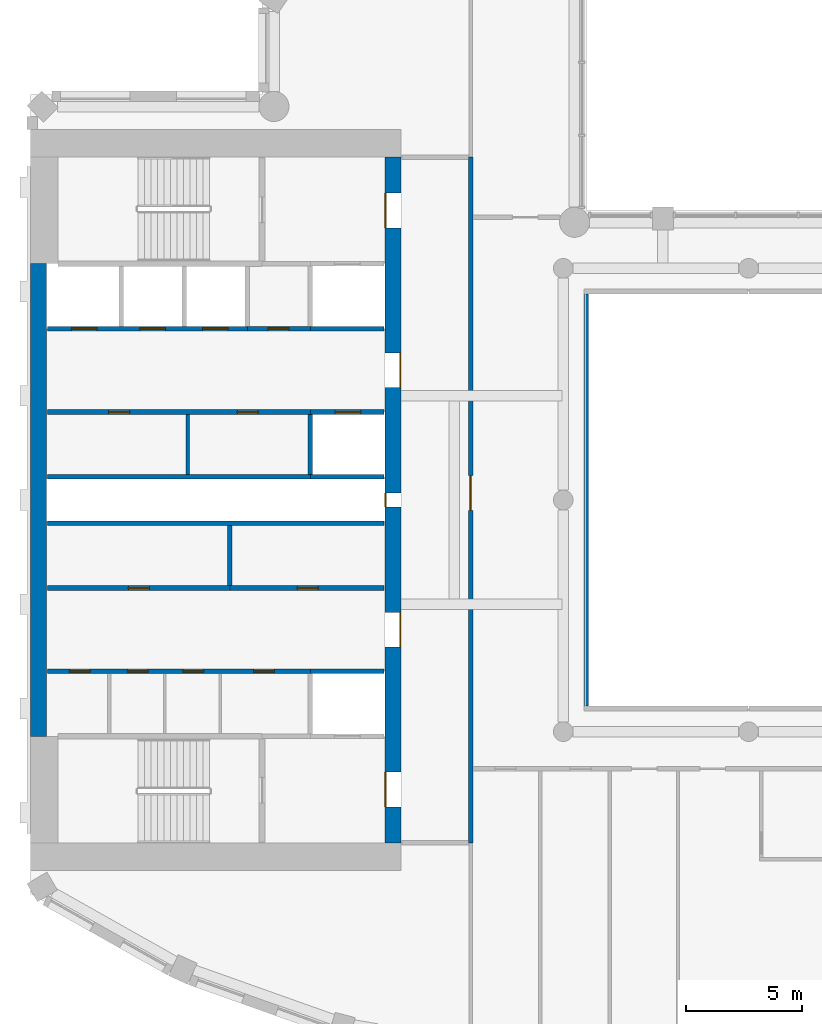
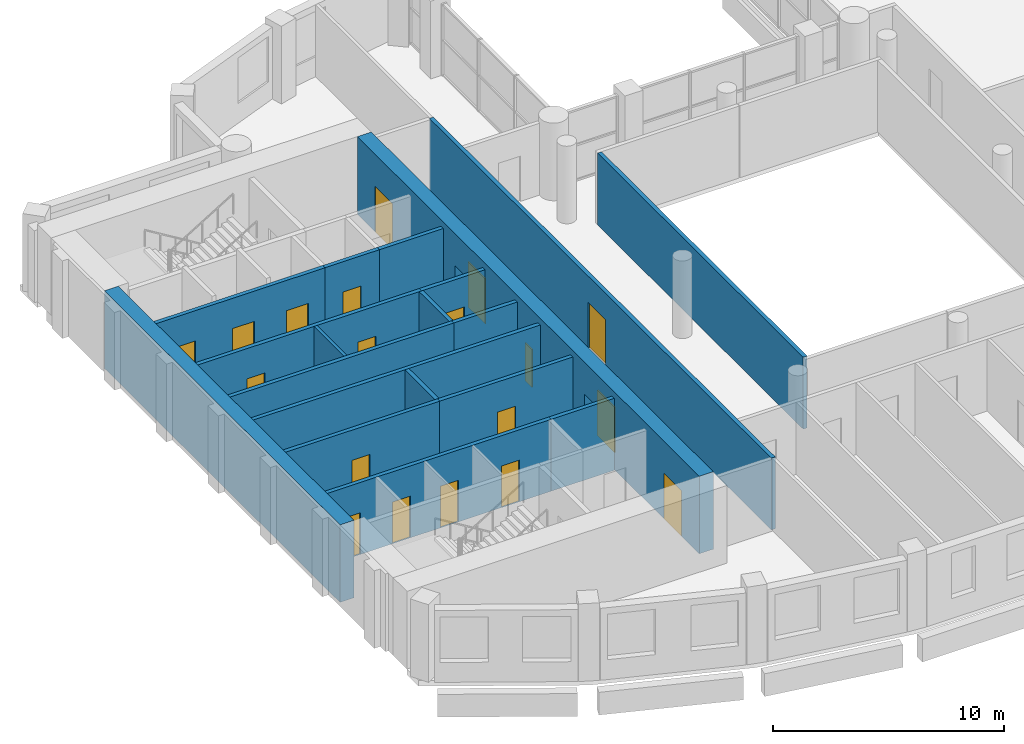
# One storey, part 5 of 14: 19 doors, 19 walls, 19 openings.
"""IFC4 building model written with IfcOpenShell, lengths in metres."""

import ifcopenshell
import ifcopenshell.guid

model = None  # the IFC model being written
_history = None  # IfcOwnerHistory: only IFC2X3 demands one
_inside = {}  # id of a spatial element -> (the spatial element, [elements in it])
_under = {}  # id of a project, library or spatial element -> (it, [spatial elements below it])
_declared = {}  # id of a project -> (the project, [libraries it declares])
_typed = {}  # id of a type object -> (the type object, [elements of that type])
_made_of = {}  # id of a material, layer set ... -> (it, [elements and type objects made of it])


def new_model(schema):
    """Start an empty IFC model of exactly this schema.

    Asked for "IFC4X3", IfcOpenShell would pick the latest addendum, in which some entities
    have other attributes; the version numbers below select the first issue.
    IFC2X3 requires an IfcOwnerHistory on every rooted entity: one is made here for all.
    """
    global model, _history
    if schema == "IFC4X3":
        model = ifcopenshell.file(schema_version=(4, 3, 0, 0))
    else:
        model = ifcopenshell.file(schema=schema)
    _inside.clear()
    _under.clear()
    _declared.clear()
    _typed.clear()
    _made_of.clear()
    _history = None
    if model.schema == "IFC2X3":
        org = make("IfcOrganization", Name="unknown")
        user = make(
            "IfcPersonAndOrganization",
            ThePerson=make("IfcPerson", FamilyName="unknown"),
            TheOrganization=org,
        )
        app = make(
            "IfcApplication",
            ApplicationDeveloper=org,
            Version="unknown",
            ApplicationFullName="unknown",
            ApplicationIdentifier="unknown",
        )
        _history = make(
            "IfcOwnerHistory",
            OwningUser=user,
            OwningApplication=app,
            ChangeAction="ADDED",
            CreationDate=0,
        )
    return model


def make(cls, **values):
    """One entity of the class cls with the attributes given. An attribute that is None is left unset."""
    return model.create_entity(
        cls, **{name: value for name, value in values.items() if value is not None}
    )


def rooted(cls, **values):
    """An entity with a GlobalId (a new one), such as an element, a storey or a relation."""
    return make(cls, GlobalId=ifcopenshell.guid.new(), OwnerHistory=_history, **values)


def si_unit(unit_type, name, prefix=None):
    """IfcSIUnit, for example si_unit("LENGTHUNIT", "METRE", prefix="MILLI")."""
    return make("IfcSIUnit", UnitType=unit_type, Prefix=prefix, Name=name)


def assignment(units):
    """IfcUnitAssignment: the units of a project."""
    return None if units is None else make("IfcUnitAssignment", Units=units)


def point(xyz):
    """IfcCartesianPoint."""
    return None if xyz is None else make("IfcCartesianPoint", Coordinates=xyz)


def direction(xyz):
    """IfcDirection."""
    return None if xyz is None else make("IfcDirection", DirectionRatios=xyz)


def frame(location, z_axis=None, x_axis=None):
    """IfcAxis2Placement3D, a coordinate frame: its origin and axes. An axis left out is left unset."""
    return make(
        "IfcAxis2Placement3D",
        Location=point(location),
        Axis=direction(z_axis),
        RefDirection=direction(x_axis),
    )


def frame_2d(location, x_axis=None):
    """IfcAxis2Placement2D, a coordinate frame in the plane: its origin and x axis."""
    return make(
        "IfcAxis2Placement2D", Location=point(location), RefDirection=direction(x_axis)
    )


def origin():
    """The frame at (0, 0, 0) with its axes left unset."""
    return frame((0.0, 0.0, 0.0))


def place(relative_to, where):
    """IfcLocalPlacement: puts the frame where relative to a parent placement (None: the world)."""
    return make(
        "IfcLocalPlacement", PlacementRelTo=relative_to, RelativePlacement=where
    )


def context(
    kind, dimensions, precision=None, world=None, true_north=None, identifier=None
):
    """IfcGeometricRepresentationContext, for example the 3D "Model" context."""
    return make(
        "IfcGeometricRepresentationContext",
        ContextIdentifier=identifier,
        ContextType=kind,
        CoordinateSpaceDimension=dimensions,
        Precision=precision,
        WorldCoordinateSystem=world,
        TrueNorth=true_north,
    )


def subcontext(parent, identifier, kind, view, scale=None):
    """IfcGeometricRepresentationSubContext, for example "Body" below "Model"."""
    return make(
        "IfcGeometricRepresentationSubContext",
        ContextIdentifier=identifier,
        ContextType=kind,
        ParentContext=parent,
        TargetScale=scale,
        TargetView=view,
    )


def project(units=None, contexts=None):
    """IfcProject with its units and contexts."""
    return rooted(
        "IfcProject",
        Name="project",
        RepresentationContexts=contexts,
        UnitsInContext=assignment(units),
    )


def spatial(cls, under=None, at=None, **own):
    """A site, building, storey or space (cls), placed at a placement, below another one or the project."""
    s = rooted(cls, ObjectPlacement=at, **own)
    if under is not None:
        _under.setdefault(under.id(), (under, []))[1].append(s)
    return s


def profile(cls, at=None, kind="AREA", **sizes):
    """A parametric profile (cls). Its sizes go by their IFC names, for example OverallWidth=200.0."""
    return make(cls, ProfileType=kind, Position=at, **sizes)


def rectangle(**sizes):
    """IfcRectangleProfileDef."""
    return profile("IfcRectangleProfileDef", **sizes)


def extrude(swept, where, along, depth):
    """IfcExtrudedAreaSolid: the profile swept, set in the frame where, extruded along a direction by depth."""
    return make(
        "IfcExtrudedAreaSolid",
        SweptArea=swept,
        Position=where,
        ExtrudedDirection=direction(along),
        Depth=depth,
    )


def shape(context_of_items, identifier, shape_type, items):
    """IfcShapeRepresentation: the items that make up one representation, for example the "Body"."""
    return make(
        "IfcShapeRepresentation",
        ContextOfItems=context_of_items,
        RepresentationIdentifier=identifier,
        RepresentationType=shape_type,
        Items=items,
    )


def material(Name=None, Category=None):
    """IfcMaterial."""
    return make("IfcMaterial", Name=Name, Category=Category)


def layer(
    of_material, thickness, ventilated=None, Name=None, Category=None, Priority=None
):
    """IfcMaterialLayer: one layer of a wall or slab, of a material (None: an air gap)."""
    return make(
        "IfcMaterialLayer",
        Material=of_material,
        LayerThickness=thickness,
        IsVentilated=ventilated,
        Name=Name,
        Category=Category,
        Priority=Priority,
    )


def layer_set(layers, Name=None):
    """IfcMaterialLayerSet."""
    return make("IfcMaterialLayerSet", MaterialLayers=layers, LayerSetName=Name)


def made_of(thing, what):
    """Note that an element or type object is made of a material, layer set ...; save() writes the relation."""
    if what is not None:
        _made_of.setdefault(what.id(), (what, []))[1].append(thing)
    return thing


def type_object(cls, material=None, **own):
    """A type object (cls), such as IfcWallType, which elements share."""
    return made_of(rooted(cls, **own), material)


def element(
    cls,
    number,
    at=None,
    inside=None,
    cuts=None,
    type_object=None,
    material=None,
    context=None,
    identifier="Body",
    shape_type=None,
    held_by="IfcProductDefinitionShape",
    body=None,
    shapes=None,
    **own,
):
    """One element of the class cls, such as IfcWall. Its Tag is "e" and its number.

    at: its placement. inside: the storey or other place that contains it. cuts: it is an
    opening in that element (IfcRelVoidsElement). A single representation is given by context,
    identifier, shape_type and body (its items); several are given by shapes. held_by: the class
    of the entity that holds the representations. save() writes the other relations.
    """
    e = rooted(cls, Tag="e%d" % number, ObjectPlacement=at, **own)
    if body is not None:
        shapes = [shape(context, identifier, shape_type, body)]
    if shapes is not None:
        e.Representation = make(held_by, Representations=shapes)
    if inside is not None:
        _inside.setdefault(inside.id(), (inside, []))[1].append(e)
    if cuts is not None:
        rooted(
            "IfcRelVoidsElement", RelatingBuildingElement=cuts, RelatedOpeningElement=e
        )
    if type_object is not None:
        _typed.setdefault(type_object.id(), (type_object, []))[1].append(e)
    return made_of(e, material)


def fill(opening, filler):
    """IfcRelFillsElement: the door or window that sits in an opening."""
    return rooted(
        "IfcRelFillsElement",
        RelatingOpeningElement=opening,
        RelatedBuildingElement=filler,
    )


def aggregate(whole, parts):
    """IfcRelAggregates: a whole, such as a stair, and the parts it consists of."""
    return rooted("IfcRelAggregates", RelatingObject=whole, RelatedObjects=parts)


def save(model, path):
    """Write the relations noted so far, then the file.

    IfcRelAggregates (storeys below a building ...), IfcRelContainedInSpatialStructure (elements
    in a storey), IfcRelDefinesByType, IfcRelAssociatesMaterial and IfcRelDeclares: one each for
    every whole, place, type object, material and project.
    """
    for whole, parts in _under.values():
        aggregate(whole, parts)
    for where, things in _inside.values():
        rooted(
            "IfcRelContainedInSpatialStructure",
            RelatedElements=things,
            RelatingStructure=where,
        )
    for kind, things in _typed.values():
        rooted("IfcRelDefinesByType", RelatedObjects=things, RelatingType=kind)
    for what, things in _made_of.values():
        rooted("IfcRelAssociatesMaterial", RelatedObjects=things, RelatingMaterial=what)
    for by, libraries in _declared.values():
        rooted("IfcRelDeclares", RelatingContext=by, RelatedDefinitions=libraries)
    model.write(path)


model = new_model("IFC4")

# Units and contexts
model_context = context("Model", 3, precision=1e-05, world=origin(), true_north=direction((0.0, 1.0)))
body_context = subcontext(model_context, "Body", "Model", "MODEL_VIEW")
ifc_project = project(units=[si_unit("LENGTHUNIT", "METRE"), si_unit("AREAUNIT", "SQUARE_METRE"), si_unit("VOLUMEUNIT", "CUBIC_METRE"), si_unit("PLANEANGLEUNIT", "RADIAN"), si_unit("MASSUNIT", "GRAM", prefix="KILO")], contexts=[model_context])

# Site, building, storey
site_placement = place(None, origin())
site = spatial("IfcSite", under=ifc_project, at=site_placement, CompositionType="ELEMENT")
building_placement = place(site_placement, origin())
building = spatial("IfcBuilding", under=site, at=building_placement, Name="Cypress Arch Tower", CompositionType="ELEMENT")
storey_placement = place(building_placement, frame((0.0, 0.0, 251.60009765625)))
storey = spatial("IfcBuildingStorey", under=building, at=storey_placement, Name="L56", CompositionType="ELEMENT", Elevation=251.60009765625)

# Wall, openings, doors
ifc_material_1 = material(Name="Concrete C60/75", Category="concrete")
ifc_layer_1 = layer(ifc_material_1, 0.699951171875)
ifc_layer_set_1 = layer_set([ifc_layer_1], Name="Core wall CW700 C60/75")
wall_type_1 = type_object("IfcWallType", Name="Core wall CW700 C60/75", PredefinedType="SHEAR", material=ifc_layer_set_1)
wall_1_placement = place(storey_placement, frame((-14.35009765625, -14.800048828125, 0.0), z_axis=(0.0, 0.0, 1.0), x_axis=(0.0, 1.0, 0.0)))
wall_1 = element("IfcWall", 1, at=wall_1_placement, inside=storey, type_object=wall_type_1, Name="Core wall", PredefinedType="SHEAR", context=body_context, shape_type="SweptSolid", body=[
    extrude(rectangle(XDim=29.60009765625, YDim=0.699951171875, at=frame_2d((14.800048828125, 0.0))), origin(), (0.0, 0.0, 1.0), 4.099853515625),
])
opening_1_placement = place(wall_1_placement, frame((1.550048828125, 0.0, 0.0)))
opening_1 = element("IfcOpeningElement", 2, at=opening_1_placement, cuts=wall_1, Name="Opening D07", PredefinedType="OPENING", context=body_context, shape_type="SweptSolid", body=[
    extrude(rectangle(XDim=1.5, YDim=2.39990234375, at=frame_2d((0.75, 1.199951171875))), frame((0.0, 0.35986328125, 0.0), z_axis=(0.0, -1.0, 0.0), x_axis=(1.0, 0.0, 0.0)), (0.0, 0.0, 1.0), 0.719970703125),
])
opening_2_placement = place(wall_1_placement, frame((26.550048828125, 0.0, 0.0)))
opening_2 = element("IfcOpeningElement", 3, at=opening_2_placement, cuts=wall_1, Name="Opening D07", PredefinedType="OPENING", context=body_context, shape_type="SweptSolid", body=[
    extrude(rectangle(XDim=1.5, YDim=2.39990234375, at=frame_2d((0.75, 1.199951171875))), frame((0.0, 0.35986328125, 0.0), z_axis=(0.0, -1.0, 0.0), x_axis=(1.0, 0.0, 0.0)), (0.0, 0.0, 1.0), 0.719970703125),
])
opening_3_placement = place(wall_1_placement, frame((8.449951171875, 0.0, 0.0)))
opening_3 = element("IfcOpeningElement", 4, at=opening_3_placement, cuts=wall_1, Name="Opening D07", PredefinedType="OPENING", context=body_context, shape_type="SweptSolid", body=[
    extrude(rectangle(XDim=1.5, YDim=2.39990234375, at=frame_2d((0.75, 1.199951171875))), frame((0.0, 0.35986328125, 0.0), z_axis=(0.0, -1.0, 0.0), x_axis=(1.0, 0.0, 0.0)), (0.0, 0.0, 1.0), 0.719970703125),
])
opening_4_placement = place(wall_1_placement, frame((19.64990234375, 0.0, 0.0)))
opening_4 = element("IfcOpeningElement", 5, at=opening_4_placement, cuts=wall_1, Name="Opening D07", PredefinedType="OPENING", context=body_context, shape_type="SweptSolid", body=[
    extrude(rectangle(XDim=1.5, YDim=2.39990234375, at=frame_2d((0.75, 1.199951171875))), frame((0.0, 0.35986328125, 0.0), z_axis=(0.0, -1.0, 0.0), x_axis=(1.0, 0.0, 0.0)), (0.0, 0.0, 1.0), 0.719970703125),
])
opening_5_placement = place(wall_1_placement, frame((14.5, 0.0, 0.0)))
opening_5 = element("IfcOpeningElement", 6, at=opening_5_placement, cuts=wall_1, Name="Opening D08", PredefinedType="OPENING", context=body_context, shape_type="SweptSolid", body=[
    extrude(rectangle(XDim=0.60009765625, YDim=2.0, at=frame_2d((0.300048828125, 1.0))), frame((0.0, 0.35986328125, 0.0), z_axis=(0.0, -1.0, 0.0), x_axis=(1.0, 0.0, 0.0)), (0.0, 0.0, 1.0), 0.719970703125),
])
ifc_material_2 = material(Name="Steel framed glazed door, fire resisting", Category="steel")
door_type_1 = type_object("IfcDoorType", Name="Lobby door D07 1500x2400", OperationType="DOUBLE_DOOR_SINGLE_SWING", PredefinedType="DOOR", material=ifc_material_2)
door_1_placement = place(opening_1_placement, origin())
door_1 = element("IfcDoor", 7, at=door_1_placement, inside=storey, type_object=door_type_1, Name="Lobby door", OperationType="DOUBLE_DOOR_SINGLE_SWING", OverallHeight=2.39990234375, OverallWidth=1.5, PredefinedType="DOOR", context=body_context, shape_type="SweptSolid", body=[
    extrude(rectangle(XDim=1.5, YDim=2.39990234375, at=frame_2d((0.75, 1.199951171875))), frame((0.0, 0.34521484375, 0.0), z_axis=(0.0, -1.0, 0.0), x_axis=(1.0, 0.0, 0.0)), (0.0, 0.0, 1.0), 0.050048828125),
])
fill(opening_1, door_1)
door_2_placement = place(opening_2_placement, origin())
door_2 = element("IfcDoor", 8, at=door_2_placement, inside=storey, type_object=door_type_1, Name="Lobby door", OperationType="DOUBLE_DOOR_SINGLE_SWING", OverallHeight=2.39990234375, OverallWidth=1.5, PredefinedType="DOOR", context=body_context, shape_type="SweptSolid", body=[
    extrude(rectangle(XDim=1.5, YDim=2.39990234375, at=frame_2d((0.75, 1.199951171875))), frame((0.0, 0.34521484375, 0.0), z_axis=(0.0, -1.0, 0.0), x_axis=(1.0, 0.0, 0.0)), (0.0, 0.0, 1.0), 0.050048828125),
])
fill(opening_2, door_2)
door_3_placement = place(opening_3_placement, origin())
door_3 = element("IfcDoor", 9, at=door_3_placement, inside=storey, type_object=door_type_1, Name="Lobby door", OperationType="DOUBLE_DOOR_SINGLE_SWING", OverallHeight=2.39990234375, OverallWidth=1.5, PredefinedType="DOOR", context=body_context, shape_type="SweptSolid", body=[
    extrude(rectangle(XDim=1.5, YDim=2.39990234375, at=frame_2d((0.75, 1.199951171875))), frame((0.0, -0.294921875, 0.0), z_axis=(0.0, -1.0, 0.0), x_axis=(1.0, 0.0, 0.0)), (0.0, 0.0, 1.0), 0.050048828125),
])
fill(opening_3, door_3)
door_4_placement = place(opening_4_placement, origin())
door_4 = element("IfcDoor", 10, at=door_4_placement, inside=storey, type_object=door_type_1, Name="Lobby door", OperationType="DOUBLE_DOOR_SINGLE_SWING", OverallHeight=2.39990234375, OverallWidth=1.5, PredefinedType="DOOR", context=body_context, shape_type="SweptSolid", body=[
    extrude(rectangle(XDim=1.5, YDim=2.39990234375, at=frame_2d((0.75, 1.199951171875))), frame((0.0, -0.294921875, 0.0), z_axis=(0.0, -1.0, 0.0), x_axis=(1.0, 0.0, 0.0)), (0.0, 0.0, 1.0), 0.050048828125),
])
fill(opening_4, door_4)
ifc_material_3 = material(Name="Steel access door, fire resisting", Category="steel")
door_type_2 = type_object("IfcDoorType", Name="Riser access door D08 600x2000", OperationType="SINGLE_SWING_LEFT", PredefinedType="DOOR", material=ifc_material_3)
door_5_placement = place(opening_5_placement, origin())
door_5 = element("IfcDoor", 11, at=door_5_placement, inside=storey, type_object=door_type_2, Name="Riser access door", OperationType="SINGLE_SWING_RIGHT", OverallHeight=2.0, OverallWidth=0.60009765625, PredefinedType="DOOR", context=body_context, shape_type="SweptSolid", body=[
    extrude(rectangle(XDim=0.60009765625, YDim=2.0, at=frame_2d((0.300048828125, 1.0))), frame((0.0, 0.34521484375, 0.0), z_axis=(0.0, -1.0, 0.0), x_axis=(1.0, 0.0, 0.0)), (0.0, 0.0, 1.0), 0.050048828125),
])
fill(opening_5, door_5)

# Wall
wall_2_placement = place(storey_placement, frame((-29.64990234375, -10.199951171875, 0.0), z_axis=(0.0, 0.0, 1.0), x_axis=(0.0, 1.0, 0.0)))
element("IfcWall", 12, at=wall_2_placement, inside=storey, type_object=wall_type_1, Name="Core wall", PredefinedType="SHEAR", context=body_context, shape_type="SweptSolid", body=[
    extrude(rectangle(XDim=20.39990234375, YDim=0.699951171875, at=frame_2d((10.199951171875, 0.0))), origin(), (0.0, 0.0, 1.0), 4.099853515625),
])

# Wall, openings, doors
ifc_material_4 = material(Name="Concrete blockwork, plastered, rated", Category="masonry")
ifc_layer_2 = layer(ifc_material_4, 0.199951171875)
ifc_layer_set_2 = layer_set([ifc_layer_2], Name="Corridor wall FW200")
wall_type_2 = type_object("IfcWallType", Name="Corridor wall FW200", PredefinedType="PARTITIONING", material=ifc_layer_set_2)
wall_3_placement = place(storey_placement, frame((-29.27001953125, -7.39990234375, 0.0), z_axis=(0.0, 0.0, 1.0), x_axis=(1.0, 0.0, 0.0)))
wall_3 = element("IfcWall", 13, at=wall_3_placement, inside=storey, type_object=wall_type_2, Name="Corridor wall", PredefinedType="PARTITIONING", context=body_context, shape_type="SweptSolid", body=[
    extrude(rectangle(XDim=11.3701171875, YDim=0.199951171875, at=frame_2d((5.68505859375, 0.0))), origin(), (0.0, 0.0, 1.0), 3.7998046875),
])
opening_6_placement = place(wall_3_placement, frame((0.949951171875, 0.0, 0.0)))
opening_6 = element("IfcOpeningElement", 14, at=opening_6_placement, cuts=wall_3, Name="Opening D05", PredefinedType="OPENING", context=body_context, shape_type="SweptSolid", body=[
    extrude(rectangle(XDim=0.89990234375, YDim=2.199951171875, at=frame_2d((0.449951171875, 1.10009765625))), frame((0.0, 0.10986328125, 0.0), z_axis=(0.0, -1.0, 0.0), x_axis=(1.0, 0.0, 0.0)), (0.0, 0.0, 1.0), 0.219970703125),
])
opening_7_placement = place(wall_3_placement, frame((3.449951171875, 0.0, 0.0)))
opening_7 = element("IfcOpeningElement", 15, at=opening_7_placement, cuts=wall_3, Name="Opening D05", PredefinedType="OPENING", context=body_context, shape_type="SweptSolid", body=[
    extrude(rectangle(XDim=0.89990234375, YDim=2.199951171875, at=frame_2d((0.449951171875, 1.10009765625))), frame((0.0, 0.10986328125, 0.0), z_axis=(0.0, -1.0, 0.0), x_axis=(1.0, 0.0, 0.0)), (0.0, 0.0, 1.0), 0.219970703125),
])
opening_8_placement = place(wall_3_placement, frame((5.85009765625, 0.0, 0.0)))
opening_8 = element("IfcOpeningElement", 16, at=opening_8_placement, cuts=wall_3, Name="Opening D05", PredefinedType="OPENING", context=body_context, shape_type="SweptSolid", body=[
    extrude(rectangle(XDim=0.89990234375, YDim=2.199951171875, at=frame_2d((0.449951171875, 1.10009765625))), frame((0.0, 0.10986328125, 0.0), z_axis=(0.0, -1.0, 0.0), x_axis=(1.0, 0.0, 0.0)), (0.0, 0.0, 1.0), 0.219970703125),
])
opening_9_placement = place(wall_3_placement, frame((8.89990234375, 0.0, 0.0)))
opening_9 = element("IfcOpeningElement", 17, at=opening_9_placement, cuts=wall_3, Name="Opening D05", PredefinedType="OPENING", context=body_context, shape_type="SweptSolid", body=[
    extrude(rectangle(XDim=0.89990234375, YDim=2.199951171875, at=frame_2d((0.449951171875, 1.10009765625))), frame((0.0, 0.10986328125, 0.0), z_axis=(0.0, -1.0, 0.0), x_axis=(1.0, 0.0, 0.0)), (0.0, 0.0, 1.0), 0.219970703125),
])
ifc_material_5 = material(Name="Timber flush door", Category="wood")
door_type_3 = type_object("IfcDoorType", Name="Service door D05 900x2200", OperationType="SINGLE_SWING_LEFT", PredefinedType="DOOR", material=ifc_material_5)
door_6_placement = place(opening_6_placement, origin())
door_6 = element("IfcDoor", 18, at=door_6_placement, inside=storey, type_object=door_type_3, Name="Service door", OperationType="SINGLE_SWING_LEFT", OverallHeight=2.199951171875, OverallWidth=0.89990234375, PredefinedType="DOOR", context=body_context, shape_type="SweptSolid", body=[
    extrude(rectangle(XDim=0.89990234375, YDim=2.199951171875, at=frame_2d((0.449951171875, 1.10009765625))), frame((0.0, 0.02490234375, 0.0), z_axis=(0.0, -1.0, 0.0), x_axis=(1.0, 0.0, 0.0)), (0.0, 0.0, 1.0), 0.050048828125),
])
fill(opening_6, door_6)
door_7_placement = place(opening_7_placement, origin())
door_7 = element("IfcDoor", 19, at=door_7_placement, inside=storey, type_object=door_type_3, Name="Service door", OperationType="SINGLE_SWING_LEFT", OverallHeight=2.199951171875, OverallWidth=0.89990234375, PredefinedType="DOOR", context=body_context, shape_type="SweptSolid", body=[
    extrude(rectangle(XDim=0.89990234375, YDim=2.199951171875, at=frame_2d((0.449951171875, 1.10009765625))), frame((0.0, 0.02490234375, 0.0), z_axis=(0.0, -1.0, 0.0), x_axis=(1.0, 0.0, 0.0)), (0.0, 0.0, 1.0), 0.050048828125),
])
fill(opening_7, door_7)
door_8_placement = place(opening_8_placement, origin())
door_8 = element("IfcDoor", 20, at=door_8_placement, inside=storey, type_object=door_type_3, Name="Service door", OperationType="SINGLE_SWING_LEFT", OverallHeight=2.199951171875, OverallWidth=0.89990234375, PredefinedType="DOOR", context=body_context, shape_type="SweptSolid", body=[
    extrude(rectangle(XDim=0.89990234375, YDim=2.199951171875, at=frame_2d((0.449951171875, 1.10009765625))), frame((0.0, 0.02490234375, 0.0), z_axis=(0.0, -1.0, 0.0), x_axis=(1.0, 0.0, 0.0)), (0.0, 0.0, 1.0), 0.050048828125),
])
fill(opening_8, door_8)
door_9_placement = place(opening_9_placement, origin())
door_9 = element("IfcDoor", 21, at=door_9_placement, inside=storey, type_object=door_type_3, Name="Service door", OperationType="SINGLE_SWING_RIGHT", OverallHeight=2.199951171875, OverallWidth=0.89990234375, PredefinedType="DOOR", context=body_context, shape_type="SweptSolid", body=[
    extrude(rectangle(XDim=0.89990234375, YDim=2.199951171875, at=frame_2d((0.449951171875, 1.10009765625))), frame((0.0, 0.02490234375, 0.0), z_axis=(0.0, -1.0, 0.0), x_axis=(1.0, 0.0, 0.0)), (0.0, 0.0, 1.0), 0.050048828125),
])
fill(opening_9, door_9)

wall_4_placement = place(storey_placement, frame((-29.27001953125, 3.800048828125, 0.0), z_axis=(0.0, 0.0, 1.0), x_axis=(1.0, 0.0, 0.0)))
wall_4 = element("IfcWall", 22, at=wall_4_placement, inside=storey, type_object=wall_type_2, Name="Corridor wall", PredefinedType="PARTITIONING", context=body_context, shape_type="SweptSolid", body=[
    extrude(rectangle(XDim=11.3701171875, YDim=0.199951171875, at=frame_2d((5.68505859375, 0.0))), origin(), (0.0, 0.0, 1.0), 3.7998046875),
])
opening_10_placement = place(wall_4_placement, frame((2.64990234375, 0.0, 0.0)))
opening_10 = element("IfcOpeningElement", 23, at=opening_10_placement, cuts=wall_4, Name="Opening D05", PredefinedType="OPENING", context=body_context, shape_type="SweptSolid", body=[
    extrude(rectangle(XDim=0.89990234375, YDim=2.199951171875, at=frame_2d((0.449951171875, 1.10009765625))), frame((0.0, 0.10986328125, 0.0), z_axis=(0.0, -1.0, 0.0), x_axis=(1.0, 0.0, 0.0)), (0.0, 0.0, 1.0), 0.219970703125),
])
opening_11_placement = place(wall_4_placement, frame((8.199951171875, 0.0, 0.0)))
opening_11 = element("IfcOpeningElement", 24, at=opening_11_placement, cuts=wall_4, Name="Opening D05", PredefinedType="OPENING", context=body_context, shape_type="SweptSolid", body=[
    extrude(rectangle(XDim=0.89990234375, YDim=2.199951171875, at=frame_2d((0.449951171875, 1.10009765625))), frame((0.0, 0.10986328125, 0.0), z_axis=(0.0, -1.0, 0.0), x_axis=(1.0, 0.0, 0.0)), (0.0, 0.0, 1.0), 0.219970703125),
])
door_10_placement = place(opening_10_placement, origin())
door_10 = element("IfcDoor", 25, at=door_10_placement, inside=storey, type_object=door_type_3, Name="Service door", OperationType="SINGLE_SWING_LEFT", OverallHeight=2.199951171875, OverallWidth=0.89990234375, PredefinedType="DOOR", context=body_context, shape_type="SweptSolid", body=[
    extrude(rectangle(XDim=0.89990234375, YDim=2.199951171875, at=frame_2d((0.449951171875, 1.10009765625))), frame((0.0, 0.02490234375, 0.0), z_axis=(0.0, -1.0, 0.0), x_axis=(1.0, 0.0, 0.0)), (0.0, 0.0, 1.0), 0.050048828125),
])
fill(opening_10, door_10)
door_11_placement = place(opening_11_placement, origin())
door_11 = element("IfcDoor", 26, at=door_11_placement, inside=storey, type_object=door_type_3, Name="Service door", OperationType="SINGLE_SWING_RIGHT", OverallHeight=2.199951171875, OverallWidth=0.89990234375, PredefinedType="DOOR", context=body_context, shape_type="SweptSolid", body=[
    extrude(rectangle(XDim=0.89990234375, YDim=2.199951171875, at=frame_2d((0.449951171875, 1.10009765625))), frame((0.0, 0.02490234375, 0.0), z_axis=(0.0, -1.0, 0.0), x_axis=(1.0, 0.0, 0.0)), (0.0, 0.0, 1.0), 0.050048828125),
])
fill(opening_11, door_11)

# Wall, opening, door
wall_5_placement = place(storey_placement, frame((-21.3798828125, -3.800048828125, 0.0), z_axis=(0.0, 0.0, 1.0), x_axis=(1.0, 0.0, 0.0)))
wall_5 = element("IfcWall", 27, at=wall_5_placement, inside=storey, type_object=wall_type_2, Name="Corridor wall", PredefinedType="PARTITIONING", context=body_context, shape_type="SweptSolid", body=[
    extrude(rectangle(XDim=6.64990234375, YDim=0.199951171875, at=frame_2d((3.324951171875, 0.0))), origin(), (0.0, 0.0, 1.0), 3.7998046875),
])
opening_12_placement = place(wall_5_placement, frame((2.89990234375, 0.0, 0.0)))
opening_12 = element("IfcOpeningElement", 28, at=opening_12_placement, cuts=wall_5, Name="Opening D05", PredefinedType="OPENING", context=body_context, shape_type="SweptSolid", body=[
    extrude(rectangle(XDim=0.89990234375, YDim=2.199951171875, at=frame_2d((0.449951171875, 1.10009765625))), frame((0.0, 0.10986328125, 0.0), z_axis=(0.0, -1.0, 0.0), x_axis=(1.0, 0.0, 0.0)), (0.0, 0.0, 1.0), 0.219970703125),
])
door_12_placement = place(opening_12_placement, origin())
door_12 = element("IfcDoor", 29, at=door_12_placement, inside=storey, type_object=door_type_3, Name="Service door", OperationType="SINGLE_SWING_LEFT", OverallHeight=2.199951171875, OverallWidth=0.89990234375, PredefinedType="DOOR", context=body_context, shape_type="SweptSolid", body=[
    extrude(rectangle(XDim=0.89990234375, YDim=2.199951171875, at=frame_2d((0.449951171875, 1.10009765625))), frame((0.0, 0.02490234375, 0.0), z_axis=(0.0, -1.0, 0.0), x_axis=(1.0, 0.0, 0.0)), (0.0, 0.0, 1.0), 0.050048828125),
])
fill(opening_12, door_12)

wall_6_placement = place(storey_placement, frame((-20.639892578125, 7.39990234375, 0.0), z_axis=(0.0, 0.0, 1.0), x_axis=(1.0, 0.0, 0.0)))
wall_6 = element("IfcWall", 30, at=wall_6_placement, inside=storey, type_object=wall_type_2, Name="Corridor wall", PredefinedType="PARTITIONING", context=body_context, shape_type="SweptSolid", body=[
    extrude(rectangle(XDim=2.719970703125, YDim=0.199951171875, at=frame_2d((1.35986328125, 0.0))), origin(), (0.0, 0.0, 1.0), 3.7998046875),
])
opening_13_placement = place(wall_6_placement, frame((0.89990234375, 0.0, 0.0)))
opening_13 = element("IfcOpeningElement", 31, at=opening_13_placement, cuts=wall_6, Name="Opening D05", PredefinedType="OPENING", context=body_context, shape_type="SweptSolid", body=[
    extrude(rectangle(XDim=0.89990234375, YDim=2.199951171875, at=frame_2d((0.449951171875, 1.10009765625))), frame((0.0, 0.10986328125, 0.0), z_axis=(0.0, -1.0, 0.0), x_axis=(1.0, 0.0, 0.0)), (0.0, 0.0, 1.0), 0.219970703125),
])
door_13_placement = place(opening_13_placement, origin())
door_13 = element("IfcDoor", 32, at=door_13_placement, inside=storey, type_object=door_type_3, Name="Service door", OperationType="SINGLE_SWING_LEFT", OverallHeight=2.199951171875, OverallWidth=0.89990234375, PredefinedType="DOOR", context=body_context, shape_type="SweptSolid", body=[
    extrude(rectangle(XDim=0.89990234375, YDim=2.199951171875, at=frame_2d((0.449951171875, 1.10009765625))), frame((0.0, 0.02490234375, 0.0), z_axis=(0.0, -1.0, 0.0), x_axis=(1.0, 0.0, 0.0)), (0.0, 0.0, 1.0), 0.050048828125),
])
fill(opening_13, door_13)

wall_7_placement = place(storey_placement, frame((-11.0, -14.800048828125, 0.0), z_axis=(0.0, 0.0, 1.0), x_axis=(0.0, 1.0, 0.0)))
wall_7 = element("IfcWall", 33, at=wall_7_placement, inside=storey, type_object=wall_type_2, Name="Corridor wall", PredefinedType="PARTITIONING", context=body_context, shape_type="SweptSolid", body=[
    extrude(rectangle(XDim=29.60009765625, YDim=0.199951171875, at=frame_2d((14.800048828125, 0.0))), origin(), (0.0, 0.0, 1.0), 3.7998046875),
])
opening_14_placement = place(wall_7_placement, frame((14.35009765625, 0.0, 0.0)))
opening_14 = element("IfcOpeningElement", 34, at=opening_14_placement, cuts=wall_7, Name="Opening D07", PredefinedType="OPENING", context=body_context, shape_type="SweptSolid", body=[
    extrude(rectangle(XDim=1.5, YDim=2.39990234375, at=frame_2d((0.75, 1.199951171875))), frame((0.0, 0.10986328125, 0.0), z_axis=(0.0, -1.0, 0.0), x_axis=(1.0, 0.0, 0.0)), (0.0, 0.0, 1.0), 0.219970703125),
])
door_14_placement = place(opening_14_placement, origin())
door_14 = element("IfcDoor", 35, at=door_14_placement, inside=storey, type_object=door_type_1, Name="Lobby door", OperationType="DOUBLE_DOOR_SINGLE_SWING", OverallHeight=2.39990234375, OverallWidth=1.5, PredefinedType="DOOR", context=body_context, shape_type="SweptSolid", body=[
    extrude(rectangle(XDim=1.5, YDim=2.39990234375, at=frame_2d((0.75, 1.199951171875))), frame((0.0, 0.02490234375, 0.0), z_axis=(0.0, -1.0, 0.0), x_axis=(1.0, 0.0, 0.0)), (0.0, 0.0, 1.0), 0.050048828125),
])
fill(opening_14, door_14)

# Walls
wall_8_placement = place(storey_placement, frame((-6.0, -8.89990234375, 0.0), z_axis=(0.0, 0.0, 1.0), x_axis=(0.0, 1.0, 0.0)))
element("IfcWall", 36, at=wall_8_placement, inside=storey, type_object=wall_type_2, Name="Corridor wall", PredefinedType="PARTITIONING", context=body_context, shape_type="SweptSolid", body=[
    extrude(rectangle(XDim=17.7998046875, YDim=0.199951171875, at=frame_2d((8.89990234375, 0.0))), origin(), (0.0, 0.0, 1.0), 3.7998046875),
])
ifc_material_6 = material(Name="Blockwork, plastered both sides", Category="masonry")
ifc_layer_3 = layer(ifc_material_6, 0.14990234375)
ifc_layer_set_3 = layer_set([ifc_layer_3], Name="Partition PW150")
wall_type_3 = type_object("IfcWallType", Name="Partition PW150", PredefinedType="PARTITIONING", material=ifc_layer_set_3)
wall_9_placement = place(storey_placement, frame((-23.199951171875, 1.10009765625, 0.0), z_axis=(0.0, 0.0, 1.0), x_axis=(0.0, 1.0, 0.0)))
element("IfcWall", 37, at=wall_9_placement, inside=storey, type_object=wall_type_3, Name="Partition", PredefinedType="PARTITIONING", context=body_context, shape_type="SweptSolid", body=[
    extrude(rectangle(XDim=2.599853515625, YDim=0.14990234375, at=frame_2d((1.2998046875, 0.0))), origin(), (0.0, 0.0, 1.0), 3.7998046875),
])

# Wall, opening, door
ifc_material_7 = material(Name="Reinforced blockwork, plastered, rated", Category="masonry")
ifc_layer_4 = layer(ifc_material_7, 0.199951171875)
ifc_layer_set_4 = layer_set([ifc_layer_4], Name="Plant and riser wall PL200")
wall_type_4 = type_object("IfcWallType", Name="Plant and riser wall PL200", PredefinedType="PARTITIONING", material=ifc_layer_set_4)
wall_10_placement = place(storey_placement, frame((-29.27001953125, -3.800048828125, 0.0), z_axis=(0.0, 0.0, 1.0), x_axis=(1.0, 0.0, 0.0)))
wall_10 = element("IfcWall", 38, at=wall_10_placement, inside=storey, type_object=wall_type_4, Name="Plant and riser wall", PredefinedType="PARTITIONING", context=body_context, shape_type="SweptSolid", body=[
    extrude(rectangle(XDim=7.89013671875, YDim=0.199951171875, at=frame_2d((3.945068359375, 0.0))), origin(), (0.0, 0.0, 1.0), 3.7998046875),
])
opening_15_placement = place(wall_10_placement, frame((3.5, 0.0, 0.0)))
opening_15 = element("IfcOpeningElement", 39, at=opening_15_placement, cuts=wall_10, Name="Opening D05", PredefinedType="OPENING", context=body_context, shape_type="SweptSolid", body=[
    extrude(rectangle(XDim=0.89990234375, YDim=2.199951171875, at=frame_2d((0.449951171875, 1.10009765625))), frame((0.0, 0.10986328125, 0.0), z_axis=(0.0, -1.0, 0.0), x_axis=(1.0, 0.0, 0.0)), (0.0, 0.0, 1.0), 0.219970703125),
])
door_15_placement = place(opening_15_placement, origin())
door_15 = element("IfcDoor", 40, at=door_15_placement, inside=storey, type_object=door_type_3, Name="Service door", OperationType="SINGLE_SWING_RIGHT", OverallHeight=2.199951171875, OverallWidth=0.89990234375, PredefinedType="DOOR", context=body_context, shape_type="SweptSolid", body=[
    extrude(rectangle(XDim=0.89990234375, YDim=2.199951171875, at=frame_2d((0.449951171875, 1.10009765625))), frame((0.0, 0.02490234375, 0.0), z_axis=(0.0, -1.0, 0.0), x_axis=(1.0, 0.0, 0.0)), (0.0, 0.0, 1.0), 0.050048828125),
])
fill(opening_15, door_15)

# Walls
wall_11_placement = place(storey_placement, frame((-29.27001953125, -1.0, 0.0), z_axis=(0.0, 0.0, 1.0), x_axis=(1.0, 0.0, 0.0)))
element("IfcWall", 41, at=wall_11_placement, inside=storey, type_object=wall_type_4, Name="Plant and riser wall", PredefinedType="PARTITIONING", context=body_context, shape_type="SweptSolid", body=[
    extrude(rectangle(XDim=14.5400390625, YDim=0.199951171875, at=frame_2d((7.27001953125, 0.0))), origin(), (0.0, 0.0, 1.0), 3.7998046875),
])
wall_12_placement = place(storey_placement, frame((-29.27001953125, 1.0, 0.0), z_axis=(0.0, 0.0, 1.0), x_axis=(1.0, 0.0, 0.0)))
element("IfcWall", 42, at=wall_12_placement, inside=storey, type_object=wall_type_4, Name="Plant and riser wall", PredefinedType="PARTITIONING", context=body_context, shape_type="SweptSolid", body=[
    extrude(rectangle(XDim=11.3701171875, YDim=0.199951171875, at=frame_2d((5.68505859375, 0.0))), origin(), (0.0, 0.0, 1.0), 3.7998046875),
])
wall_13_placement = place(storey_placement, frame((-21.39990234375, -3.699951171875, 0.0), z_axis=(0.0, 0.0, 1.0), x_axis=(0.0, 1.0, 0.0)))
element("IfcWall", 43, at=wall_13_placement, inside=storey, type_object=wall_type_4, Name="Plant and riser wall", PredefinedType="PARTITIONING", context=body_context, shape_type="SweptSolid", body=[
    extrude(rectangle(XDim=2.599853515625, YDim=0.199951171875, at=frame_2d((1.2998046875, 0.0))), origin(), (0.0, 0.0, 1.0), 3.7998046875),
])

# Wall, openings, doors
ifc_material_8 = material(Name="Concrete C50/60", Category="concrete")
ifc_layer_5 = layer(ifc_material_8, 0.199951171875)
ifc_layer_set_5 = layer_set([ifc_layer_5], Name="Shaft wall SH200")
wall_type_5 = type_object("IfcWallType", Name="Shaft wall SH200", PredefinedType="SHEAR", material=ifc_layer_set_5)
wall_14_placement = place(storey_placement, frame((-29.27001953125, 7.39990234375, 0.0), z_axis=(0.0, 0.0, 1.0), x_axis=(1.0, 0.0, 0.0)))
wall_14 = element("IfcWall", 44, at=wall_14_placement, inside=storey, type_object=wall_type_5, Name="Shaft wall", PredefinedType="SHEAR", context=body_context, shape_type="SweptSolid", body=[
    extrude(rectangle(XDim=8.630126953125, YDim=0.199951171875, at=frame_2d((4.31494140625, 0.0))), origin(), (0.0, 0.0, 1.0), 3.7998046875),
])
opening_16_placement = place(wall_14_placement, frame((1.050048828125, 0.0, 0.0)))
opening_16 = element("IfcOpeningElement", 45, at=opening_16_placement, cuts=wall_14, Name="Opening LD-HR5", PredefinedType="OPENING", context=body_context, shape_type="SweptSolid", body=[
    extrude(rectangle(XDim=1.10009765625, YDim=2.199951171875, at=frame_2d((0.550048828125, 1.10009765625))), frame((0.0, 0.10986328125, 0.0), z_axis=(0.0, -1.0, 0.0), x_axis=(1.0, 0.0, 0.0)), (0.0, 0.0, 1.0), 0.219970703125),
])
opening_17_placement = place(wall_14_placement, frame((4.0, 0.0, 0.0)))
opening_17 = element("IfcOpeningElement", 46, at=opening_17_placement, cuts=wall_14, Name="Opening LD-HR6", PredefinedType="OPENING", context=body_context, shape_type="SweptSolid", body=[
    extrude(rectangle(XDim=1.10009765625, YDim=2.199951171875, at=frame_2d((0.550048828125, 1.10009765625))), frame((0.0, 0.10986328125, 0.0), z_axis=(0.0, -1.0, 0.0), x_axis=(1.0, 0.0, 0.0)), (0.0, 0.0, 1.0), 0.219970703125),
])
opening_18_placement = place(wall_14_placement, frame((6.699951171875, 0.0, 0.0)))
opening_18 = element("IfcOpeningElement", 47, at=opening_18_placement, cuts=wall_14, Name="Opening LD-HR7", PredefinedType="OPENING", context=body_context, shape_type="SweptSolid", body=[
    extrude(rectangle(XDim=1.10009765625, YDim=2.199951171875, at=frame_2d((0.550048828125, 1.10009765625))), frame((0.0, 0.10986328125, 0.0), z_axis=(0.0, -1.0, 0.0), x_axis=(1.0, 0.0, 0.0)), (0.0, 0.0, 1.0), 0.219970703125),
])
ifc_material_9 = material(Name="Stainless steel centre-opening landing door, rated", Category="steel")
door_type_4 = type_object("IfcDoorType", Name="Lift landing door LD 1100x2200", OperationType="DOUBLE_DOOR_SLIDING", PredefinedType="DOOR", material=ifc_material_9)
door_16_placement = place(opening_16_placement, origin())
door_16 = element("IfcDoor", 48, at=door_16_placement, inside=storey, type_object=door_type_4, Name="Lift landing doors HR5", OperationType="DOUBLE_DOOR_SLIDING", OverallHeight=2.199951171875, OverallWidth=1.10009765625, PredefinedType="DOOR", context=body_context, shape_type="SweptSolid", body=[
    extrude(rectangle(XDim=1.10009765625, YDim=2.199951171875, at=frame_2d((0.550048828125, 1.10009765625))), frame((0.0, 0.02490234375, 0.0), z_axis=(0.0, -1.0, 0.0), x_axis=(1.0, 0.0, 0.0)), (0.0, 0.0, 1.0), 0.050048828125),
])
fill(opening_16, door_16)
door_17_placement = place(opening_17_placement, origin())
door_17 = element("IfcDoor", 49, at=door_17_placement, inside=storey, type_object=door_type_4, Name="Lift landing doors HR6", OperationType="DOUBLE_DOOR_SLIDING", OverallHeight=2.199951171875, OverallWidth=1.10009765625, PredefinedType="DOOR", context=body_context, shape_type="SweptSolid", body=[
    extrude(rectangle(XDim=1.10009765625, YDim=2.199951171875, at=frame_2d((0.550048828125, 1.10009765625))), frame((0.0, 0.02490234375, 0.0), z_axis=(0.0, -1.0, 0.0), x_axis=(1.0, 0.0, 0.0)), (0.0, 0.0, 1.0), 0.050048828125),
])
fill(opening_17, door_17)
door_18_placement = place(opening_18_placement, origin())
door_18 = element("IfcDoor", 50, at=door_18_placement, inside=storey, type_object=door_type_4, Name="Lift landing doors HR7", OperationType="DOUBLE_DOOR_SLIDING", OverallHeight=2.199951171875, OverallWidth=1.10009765625, PredefinedType="DOOR", context=body_context, shape_type="SweptSolid", body=[
    extrude(rectangle(XDim=1.10009765625, YDim=2.199951171875, at=frame_2d((0.550048828125, 1.10009765625))), frame((0.0, 0.02490234375, 0.0), z_axis=(0.0, -1.0, 0.0), x_axis=(1.0, 0.0, 0.0)), (0.0, 0.0, 1.0), 0.050048828125),
])
fill(opening_18, door_18)

# Walls
wall_15_placement = place(storey_placement, frame((-17.89990234375, -7.39990234375, 0.0), z_axis=(0.0, 0.0, 1.0), x_axis=(1.0, 0.0, 0.0)))
element("IfcWall", 51, at=wall_15_placement, inside=storey, type_object=wall_type_5, Name="Shaft wall", PredefinedType="SHEAR", context=body_context, shape_type="SweptSolid", body=[
    extrude(rectangle(XDim=3.169921875, YDim=0.199951171875, at=frame_2d((1.5849609375, 0.0))), origin(), (0.0, 0.0, 1.0), 3.7998046875),
])
wall_16_placement = place(storey_placement, frame((-17.919921875, 1.10009765625, 0.0), z_axis=(0.0, 0.0, 1.0), x_axis=(0.0, 1.0, 0.0)))
element("IfcWall", 52, at=wall_16_placement, inside=storey, type_object=wall_type_5, Name="Shaft wall", PredefinedType="SHEAR", context=body_context, shape_type="SweptSolid", body=[
    extrude(rectangle(XDim=2.599853515625, YDim=0.199951171875, at=frame_2d((1.2998046875, 0.0))), origin(), (0.0, 0.0, 1.0), 3.7998046875),
])
wall_17_placement = place(storey_placement, frame((-17.89990234375, 1.0, 0.0), z_axis=(0.0, 0.0, 1.0), x_axis=(1.0, 0.0, 0.0)))
element("IfcWall", 53, at=wall_17_placement, inside=storey, type_object=wall_type_5, Name="Shaft wall", PredefinedType="SHEAR", context=body_context, shape_type="SweptSolid", body=[
    extrude(rectangle(XDim=3.169921875, YDim=0.199951171875, at=frame_2d((1.5849609375, 0.0))), origin(), (0.0, 0.0, 1.0), 3.7998046875),
])

# Wall, opening, door
wall_18_placement = place(storey_placement, frame((-17.89990234375, 3.800048828125, 0.0), z_axis=(0.0, 0.0, 1.0), x_axis=(1.0, 0.0, 0.0)))
wall_18 = element("IfcWall", 54, at=wall_18_placement, inside=storey, type_object=wall_type_5, Name="Shaft wall", PredefinedType="SHEAR", context=body_context, shape_type="SweptSolid", body=[
    extrude(rectangle(XDim=3.169921875, YDim=0.199951171875, at=frame_2d((1.5849609375, 0.0))), origin(), (0.0, 0.0, 1.0), 3.7998046875),
])
opening_19_placement = place(wall_18_placement, frame((1.050048828125, 0.0, 0.0)))
opening_19 = element("IfcOpeningElement", 55, at=opening_19_placement, cuts=wall_18, Name="Opening LD-HR4", PredefinedType="OPENING", context=body_context, shape_type="SweptSolid", body=[
    extrude(rectangle(XDim=1.10009765625, YDim=2.199951171875, at=frame_2d((0.550048828125, 1.10009765625))), frame((0.0, 0.10986328125, 0.0), z_axis=(0.0, -1.0, 0.0), x_axis=(1.0, 0.0, 0.0)), (0.0, 0.0, 1.0), 0.219970703125),
])
door_19_placement = place(opening_19_placement, origin())
door_19 = element("IfcDoor", 56, at=door_19_placement, inside=storey, type_object=door_type_4, Name="Lift landing doors HR4", OperationType="DOUBLE_DOOR_SLIDING", OverallHeight=2.199951171875, OverallWidth=1.10009765625, PredefinedType="DOOR", context=body_context, shape_type="SweptSolid", body=[
    extrude(rectangle(XDim=1.10009765625, YDim=2.199951171875, at=frame_2d((0.550048828125, 1.10009765625))), frame((0.0, 0.02490234375, 0.0), z_axis=(0.0, -1.0, 0.0), x_axis=(1.0, 0.0, 0.0)), (0.0, 0.0, 1.0), 0.050048828125),
])
fill(opening_19, door_19)

# Wall
wall_19_placement = place(storey_placement, frame((-17.919921875, 7.39990234375, 0.0), z_axis=(0.0, 0.0, 1.0), x_axis=(1.0, 0.0, 0.0)))
element("IfcWall", 57, at=wall_19_placement, inside=storey, type_object=wall_type_5, Name="Shaft wall", PredefinedType="SHEAR", context=body_context, shape_type="SweptSolid", body=[
    extrude(rectangle(XDim=3.18994140625, YDim=0.199951171875, at=frame_2d((1.594970703125, 0.0))), origin(), (0.0, 0.0, 1.0), 3.7998046875),
])

save(model, "model.ifc")
